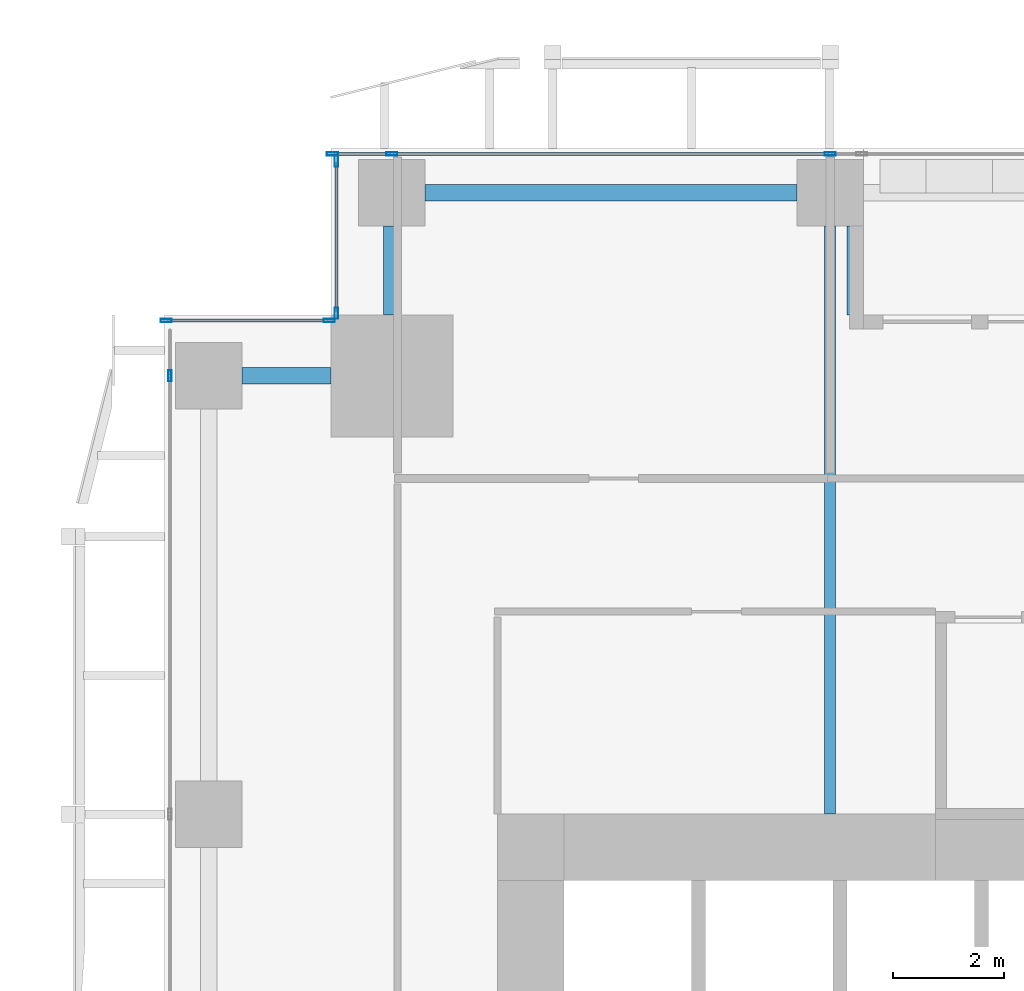
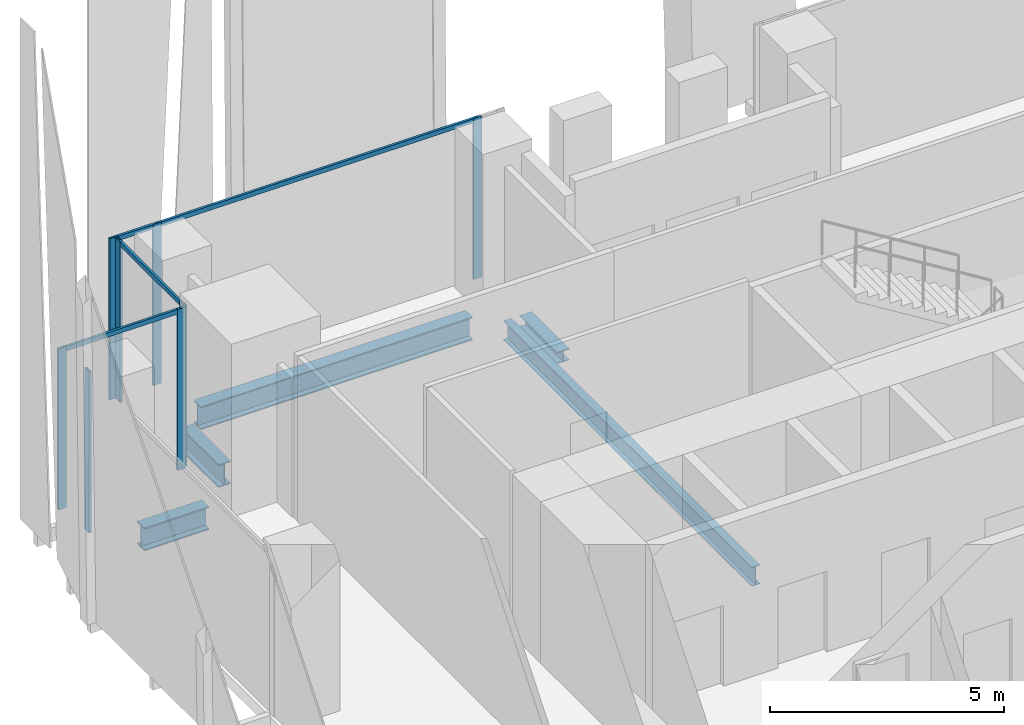
# One storey, part 13 of 34: 12 members, 5 beams, 4 elements without a shape of their own.
"""IFC4 building model written with IfcOpenShell, lengths in metres."""

from ifc_helpers import new_model, si_unit, direction, frame, origin, origin_2d, place, context, subcontext, project, spatial, hollow_rectangle, i_section, extrude, source, transform, mapped, material, material_profile, profile_set, type_object, element, aggregate, save


model = new_model("IFC4")

# Units and contexts
model_context = context("Model", 3, precision=1e-05, world=origin(), true_north=direction((0.0, 1.0)))
body_context = subcontext(model_context, "Body", "Model", "MODEL_VIEW")
ifc_project = project(units=[si_unit("LENGTHUNIT", "METRE"), si_unit("AREAUNIT", "SQUARE_METRE"), si_unit("VOLUMEUNIT", "CUBIC_METRE"), si_unit("PLANEANGLEUNIT", "RADIAN"), si_unit("MASSUNIT", "GRAM", prefix="KILO")], contexts=[model_context])

# Site, building, storey
site_placement = place(None, origin())
site = spatial("IfcSite", under=ifc_project, at=site_placement, CompositionType="ELEMENT")
building_placement = place(site_placement, origin())
building = spatial("IfcBuilding", under=site, at=building_placement, Name="Khomas Fold Tower", CompositionType="ELEMENT")
storey_placement = place(building_placement, frame((0.0, 0.0, 73.5)))
storey = spatial("IfcBuildingStorey", under=building, at=storey_placement, Name="L15", CompositionType="ELEMENT", Elevation=73.5)

# Beams
ifc_material_1 = material(Name="Steel S355", Category="steel")
ifc_material_profile_1 = material_profile(ifc_material_1, i_section(OverallWidth=0.199951171875, OverallDepth=0.5, WebThickness=0.01025390625, FlangeThickness=0.01611328125, at=origin_2d()), Name="IPE 500")
ifc_profile_set_1 = profile_set([ifc_material_profile_1], Name="Steel S355")
beam_type_1 = type_object("IfcBeamType", Name="IPE 500 beam JB5", PredefinedType="BEAM", material=ifc_profile_set_1)
shared_shape_1 = source(origin(), body_context, "Body", "SweptSolid", [
    extrude(i_section(OverallWidth=0.199951171875, OverallDepth=0.5, WebThickness=0.01025390625, FlangeThickness=0.01611328125, at=origin_2d()), origin(), (0.0, 0.0, 1.0), 10.60009765625),
])
beam_1_placement = place(storey_placement, frame((12.0, 42.0, -0.550048828125), z_axis=(0.0, 1.0, 0.0), x_axis=(-1.0, 0.0, 0.0)))
element("IfcBeam", 1, at=beam_1_placement, inside=storey, type_object=beam_type_1, Name="JB5", PredefinedType="BEAM", context=body_context, shape_type="MappedRepresentation", body=[
    mapped(shared_shape_1, transform((0.0, 0.0, 0.0))),
])
ifc_material_2 = material(Name="Steel S355", Category="steel")
ifc_material_profile_2 = material_profile(ifc_material_2, i_section(OverallWidth=0.300048828125, OverallDepth=0.60009765625, WebThickness=0.015380859375, FlangeThickness=0.030029296875, at=origin_2d()), Name="HE 600 B")
ifc_profile_set_2 = profile_set([ifc_material_profile_2], Name="Steel S355")
beam_type_2 = type_object("IfcBeamType", Name="HE 600 B spandrel SB1", PredefinedType="SPANDREL", material=ifc_profile_set_2)
shared_shape_2 = source(origin(), body_context, "Body", "SweptSolid", [
    extrude(i_section(OverallWidth=0.300048828125, OverallDepth=0.60009765625, WebThickness=0.015380859375, FlangeThickness=0.030029296875, at=origin_2d()), origin(), (0.0, 0.0, 1.0), 6.699951171875),
])
beam_2_placement = place(storey_placement, frame((4.699951171875, 53.199951171875, -0.60009765625), z_axis=(1.0, 0.0, 0.0), x_axis=(0.0, 1.0, 0.0)))
element("IfcBeam", 2, at=beam_2_placement, inside=storey, type_object=beam_type_2, Name="SB1", PredefinedType="SPANDREL", context=body_context, shape_type="MappedRepresentation", body=[
    mapped(shared_shape_2, transform((0.0, 0.0, 0.0))),
])
shared_shape_3 = source(origin(), body_context, "Body", "SweptSolid", [
    extrude(i_section(OverallWidth=0.300048828125, OverallDepth=0.60009765625, WebThickness=0.015380859375, FlangeThickness=0.030029296875, at=origin_2d()), origin(), (0.0, 0.0, 1.0), 1.60009765625),
])
for number, where, z_axis, x_axis, name in (
    (3, (4.10009765625, 51.0, -0.60009765625), (0.0, 1.0, 0.0), (-1.0, 0.0, 0.0), "SB1"),
    (4, (1.39990234375, 49.89990234375, -0.60009765625), (1.0, 0.0, 0.0), (0.0, 1.0, 0.0), "SB1"),
):
    element("IfcBeam", number, at=place(storey_placement, frame(where, z_axis=z_axis, x_axis=x_axis)), inside=storey, type_object=beam_type_2, Name=name, PredefinedType="SPANDREL", context=body_context, shape_type="MappedRepresentation", body=[
        mapped(shared_shape_3, transform((0.0, 0.0, 0.0))),
    ])
ifc_material_3 = material(Name="Steel S355", Category="steel")
ifc_material_profile_3 = material_profile(ifc_material_3, i_section(OverallWidth=0.300048828125, OverallDepth=0.300048828125, WebThickness=0.010986328125, FlangeThickness=0.01904296875, at=origin_2d()), Name="HE 300 B")
ifc_profile_set_3 = profile_set([ifc_material_profile_3], Name="Steel S355")
beam_type_3 = type_object("IfcBeamType", Name="HE 300 B beam BB1", PredefinedType="BEAM", material=ifc_profile_set_3)
shared_shape_4 = source(origin(), body_context, "Body", "SweptSolid", [
    extrude(i_section(OverallWidth=0.300048828125, OverallDepth=0.300048828125, WebThickness=0.010986328125, FlangeThickness=0.01904296875, at=origin_2d()), origin(), (0.0, 0.0, 1.0), 1.60009765625),
])
beam_3_placement = place(storey_placement, frame((12.449951171875, 51.0, -0.449951171875), z_axis=(0.0, 1.0, 0.0), x_axis=(-1.0, 0.0, 0.0)))
element("IfcBeam", 5, at=beam_3_placement, inside=storey, type_object=beam_type_3, Name="BB1", PredefinedType="BEAM", context=body_context, shape_type="MappedRepresentation", body=[
    mapped(shared_shape_4, transform((0.0, 0.0, 0.0))),
])

# Curtain wall, members
ifc_material_4 = material(Name="Aluminium framed double glazing", Category="aluminium")
curtain_wall_type = type_object("IfcCurtainWallType", Name="SK-Unitised clear-glass wall, growing floors CW1", PredefinedType="NOTDEFINED", material=ifc_material_4)
curtain_wall_1_placement = place(storey_placement, origin())
curtain_wall_1 = element("IfcCurtainWall", 6, at=curtain_wall_1_placement, inside=storey, type_object=curtain_wall_type, Name="CW1 run L15 06-1", PredefinedType="NOTDEFINED")
ifc_material_5 = material(Name="Aluminium", Category="aluminium")
ifc_material_profile_4 = material_profile(ifc_material_5, hollow_rectangle(XDim=0.06005859375, YDim=0.1201171875, WallThickness=0.00390625, at=origin_2d()), Name="SK-Unitised clear-glass wall, growing floors transom CW1-T")
ifc_profile_set_4 = profile_set([ifc_material_profile_4], Name="Aluminium")
member_type_1 = type_object("IfcMemberType", Name="SK-Unitised clear-glass wall, growing floors transom CW1-T", PredefinedType="USERDEFINED", material=ifc_profile_set_4)
shared_shape_5 = source(origin(), body_context, "Body", "SweptSolid", [
    extrude(hollow_rectangle(XDim=0.06005859375, YDim=0.1201171875, WallThickness=0.00390625, at=origin_2d()), origin(), (0.0, 0.0, 1.0), 7.840087890625),
])
member_1_placement = place(storey_placement, frame((11.969970703125, 53.89990234375, 4.139892578125), z_axis=(-1.0, 0.0, 0.0), x_axis=(0.0, -1.0, 0.0)))
member_1 = element("IfcMember", 7, at=member_1_placement, type_object=member_type_1, Name="CW1 transom 2", ObjectType="TRANSOM", PredefinedType="USERDEFINED", context=body_context, shape_type="MappedRepresentation", body=[
    mapped(shared_shape_5, transform((0.0, 0.0, 0.0))),
])
shared_shape_6 = source(origin(), body_context, "Body", "SweptSolid", [
    extrude(hollow_rectangle(XDim=0.06005859375, YDim=0.1201171875, WallThickness=0.00390625, at=origin_2d()), origin(), (0.0, 0.0, 1.0), 1.010009765625),
])
member_2_placement = place(storey_placement, frame((4.070068359375, 53.89990234375, 4.139892578125), z_axis=(-1.0, 0.0, 0.0), x_axis=(0.0, -1.0, 0.0)))
member_2 = element("IfcMember", 8, at=member_2_placement, type_object=member_type_1, Name="CW1 transom 3", ObjectType="TRANSOM", PredefinedType="USERDEFINED", context=body_context, shape_type="MappedRepresentation", body=[
    mapped(shared_shape_6, transform((0.0, 0.0, 0.0))),
])

# Curtain wall, member
curtain_wall_2_placement = place(storey_placement, origin())
curtain_wall_2 = element("IfcCurtainWall", 9, at=curtain_wall_2_placement, inside=storey, type_object=curtain_wall_type, Name="CW1 corner return L15 07", PredefinedType="NOTDEFINED")
shared_shape_7 = source(origin(), body_context, "Body", "SweptSolid", [
    extrude(hollow_rectangle(XDim=0.06005859375, YDim=0.1201171875, WallThickness=0.00390625, at=origin_2d()), origin(), (0.0, 0.0, 1.0), 2.679931640625),
])
member_3_placement = place(storey_placement, frame((3.10009765625, 53.739990234375, 4.139892578125), z_axis=(0.0, -1.0, 0.0), x_axis=(1.0, 0.0, 0.0)))
member_3 = element("IfcMember", 10, at=member_3_placement, type_object=member_type_1, Name="CW1 transom 1", ObjectType="TRANSOM", PredefinedType="USERDEFINED", context=body_context, shape_type="MappedRepresentation", body=[
    mapped(shared_shape_7, transform((0.0, 0.0, 0.0))),
])

curtain_wall_3_placement = place(storey_placement, origin())
curtain_wall_3 = element("IfcCurtainWall", 11, at=curtain_wall_3_placement, inside=storey, type_object=curtain_wall_type, Name="CW1 corner return L15 08", PredefinedType="NOTDEFINED")
shared_shape_8 = source(origin(), body_context, "Body", "SweptSolid", [
    extrude(hollow_rectangle(XDim=0.06005859375, YDim=0.1201171875, WallThickness=0.00390625, at=origin_2d()), origin(), (0.0, 0.0, 1.0), 2.8798828125),
])
member_4_placement = place(storey_placement, frame((2.93994140625, 50.89990234375, 4.139892578125), z_axis=(-1.0, 0.0, 0.0), x_axis=(0.0, -1.0, 0.0)))
member_4 = element("IfcMember", 12, at=member_4_placement, type_object=member_type_1, Name="CW1 transom 1", ObjectType="TRANSOM", PredefinedType="USERDEFINED", context=body_context, shape_type="MappedRepresentation", body=[
    mapped(shared_shape_8, transform((0.0, 0.0, 0.0))),
])

# Member
ifc_material_6 = material(Name="Aluminium", Category="aluminium")
ifc_material_profile_5 = material_profile(ifc_material_6, hollow_rectangle(XDim=0.06005859375, YDim=0.199951171875, WallThickness=0.00390625, at=origin_2d()), Name="SK-Unitised clear-glass wall, growing floors mullion CW1-M")
ifc_profile_set_5 = profile_set([ifc_material_profile_5], Name="Aluminium")
member_type_2 = type_object("IfcMemberType", Name="SK-Unitised clear-glass wall, growing floors mullion CW1-M", PredefinedType="MULLION", material=ifc_profile_set_5)
shared_shape_9 = source(origin(), body_context, "Body", "SweptSolid", [
    extrude(hollow_rectangle(XDim=0.06005859375, YDim=0.199951171875, WallThickness=0.00390625, at=origin_2d()), origin(), (0.0, 0.0, 1.0), 4.199951171875),
])
member_5_placement = place(storey_placement, frame((12.0, 53.89990234375, 0.0), z_axis=(0.0, 0.0, 1.0), x_axis=(0.0, -1.0, 0.0)))
member_5 = element("IfcMember", 13, at=member_5_placement, type_object=member_type_2, Name="CW1 mullion 2", PredefinedType="MULLION", context=body_context, shape_type="MappedRepresentation", body=[
    mapped(shared_shape_9, transform((0.0, 0.0, 0.0))),
])

member_6_placement = place(storey_placement, frame((4.10009765625, 53.89990234375, 0.0), z_axis=(0.0, 0.0, 1.0), x_axis=(0.0, -1.0, 0.0)))
member_6 = element("IfcMember", 14, at=member_6_placement, type_object=member_type_2, Name="CW1 mullion 3", PredefinedType="MULLION", context=body_context, shape_type="MappedRepresentation", body=[
    mapped(shared_shape_9, transform((0.0, 0.0, 0.0))),
])

member_7_placement = place(storey_placement, frame((3.030029296875, 53.89990234375, 0.0), z_axis=(0.0, 0.0, 1.0), x_axis=(0.0, -1.0, 0.0)))
member_7 = element("IfcMember", 15, at=member_7_placement, type_object=member_type_2, Name="CW1 mullion 4", PredefinedType="MULLION", context=body_context, shape_type="MappedRepresentation", body=[
    mapped(shared_shape_9, transform((0.0, 0.0, 0.0))),
])

aggregate(curtain_wall_1, [member_5, member_6, member_7, member_1, member_2])

member_8_placement = place(storey_placement, frame((3.10009765625, 53.77001953125, 0.0), z_axis=(0.0, 0.0, 1.0), x_axis=(1.0, 0.0, 0.0)))
member_8 = element("IfcMember", 16, at=member_8_placement, type_object=member_type_2, Name="CW1 mullion 1", PredefinedType="MULLION", context=body_context, shape_type="MappedRepresentation", body=[
    mapped(shared_shape_9, transform((0.0, 0.0, 0.0))),
])

member_9_placement = place(storey_placement, frame((3.10009765625, 51.030029296875, 0.0), z_axis=(0.0, 0.0, 1.0), x_axis=(1.0, 0.0, 0.0)))
member_9 = element("IfcMember", 17, at=member_9_placement, type_object=member_type_2, Name="CW1 mullion 2", PredefinedType="MULLION", context=body_context, shape_type="MappedRepresentation", body=[
    mapped(shared_shape_9, transform((0.0, 0.0, 0.0))),
])

aggregate(curtain_wall_2, [member_8, member_9, member_3])

member_10_placement = place(storey_placement, frame((2.969970703125, 50.89990234375, 0.0), z_axis=(0.0, 0.0, 1.0), x_axis=(0.0, -1.0, 0.0)))
member_10 = element("IfcMember", 18, at=member_10_placement, type_object=member_type_2, Name="CW1 mullion 1", PredefinedType="MULLION", context=body_context, shape_type="MappedRepresentation", body=[
    mapped(shared_shape_9, transform((0.0, 0.0, 0.0))),
])

member_11_placement = place(storey_placement, frame((0.030029296875, 50.89990234375, 0.0), z_axis=(0.0, 0.0, 1.0), x_axis=(0.0, -1.0, 0.0)))
member_11 = element("IfcMember", 19, at=member_11_placement, type_object=member_type_2, Name="CW1 mullion 2", PredefinedType="MULLION", context=body_context, shape_type="MappedRepresentation", body=[
    mapped(shared_shape_9, transform((0.0, 0.0, 0.0))),
])

aggregate(curtain_wall_3, [member_10, member_11, member_4])

# Curtain wall, member
curtain_wall_4_placement = place(storey_placement, origin())
curtain_wall_4 = element("IfcCurtainWall", 20, at=curtain_wall_4_placement, inside=storey, type_object=curtain_wall_type, Name="CW1 run L15 09-0", PredefinedType="NOTDEFINED")
member_12_placement = place(storey_placement, frame((0.10009765625, 49.89990234375, 0.0), z_axis=(0.0, 0.0, 1.0), x_axis=(1.0, 0.0, 0.0)))
member_12 = element("IfcMember", 21, at=member_12_placement, type_object=member_type_2, Name="CW1 mullion 2", PredefinedType="MULLION", context=body_context, shape_type="MappedRepresentation", body=[
    mapped(shared_shape_9, transform((0.0, 0.0, 0.0))),
])
aggregate(curtain_wall_4, [member_12])

save(model, "model.ifc")
